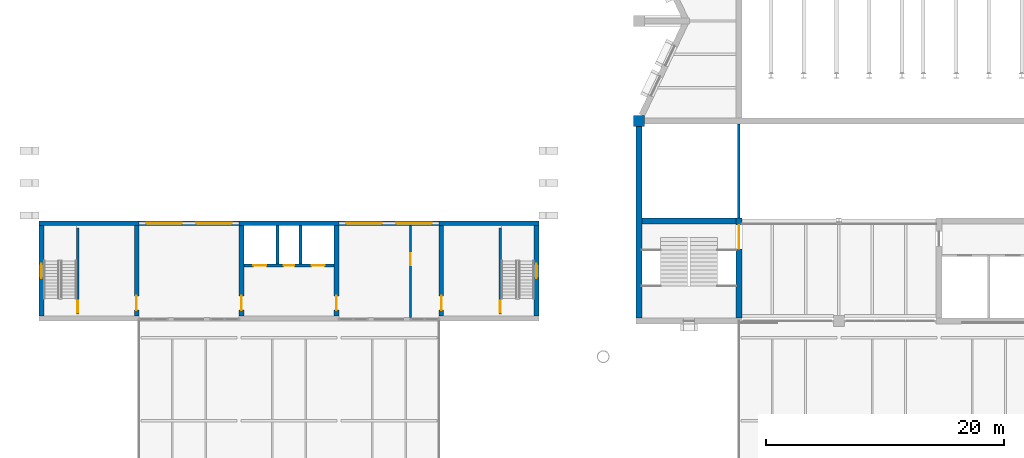
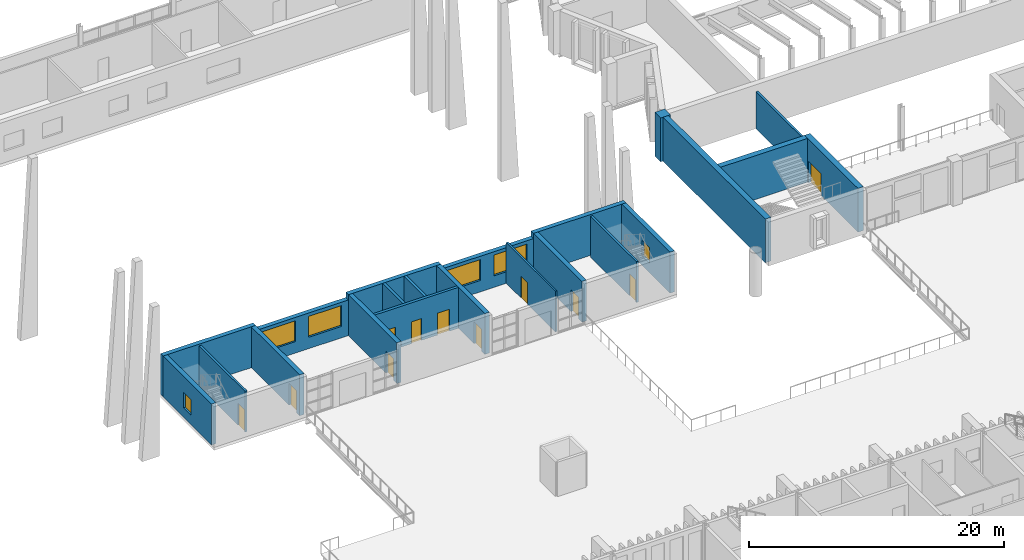
# One storey, part 64 of 96: 22 walls, 11 doors, 6 windows, 17 openings.
"""IFC4 building model written with IfcOpenShell, lengths in metres."""

from ifc_helpers import new_model, si_unit, direction, frame, frame_2d, origin, place, context, subcontext, project, spatial, rectangle, extrude, material, layer, layer_set, type_object, element, fill, save


model = new_model("IFC4")

# Units and contexts
model_context = context("Model", 3, precision=1e-05, world=origin(), true_north=direction((0.0, 1.0)))
body_context = subcontext(model_context, "Body", "Model", "MODEL_VIEW")
ifc_project = project(units=[si_unit("LENGTHUNIT", "METRE"), si_unit("AREAUNIT", "SQUARE_METRE"), si_unit("VOLUMEUNIT", "CUBIC_METRE"), si_unit("PLANEANGLEUNIT", "RADIAN"), si_unit("MASSUNIT", "GRAM", prefix="KILO")], contexts=[model_context])

# Site, building, storey
site_placement = place(None, origin())
site = spatial("IfcSite", under=ifc_project, at=site_placement, CompositionType="ELEMENT")
building_placement = place(site_placement, origin())
building = spatial("IfcBuilding", under=site, at=building_placement, Name="Cresset Court Congress Hotel", CompositionType="ELEMENT")
storey_placement = place(building_placement, frame((0.0, 0.0, 6.0)))
storey = spatial("IfcBuildingStorey", under=building, at=storey_placement, Name="L01", CompositionType="ELEMENT", Elevation=6.0)

# Wall, opening, door
ifc_material_1 = material(Name="Gypsum board on steel studs", Category="steel")
ifc_layer_1 = layer(ifc_material_1, 0.14990234375)
ifc_layer_set_1 = layer_set([ifc_layer_1], Name="Fire partition 150")
wall_type_1 = type_object("IfcWallType", Name="Fire partition 150", PredefinedType="PARTITIONING", material=ifc_layer_set_1)
wall_1_placement = place(storey_placement, frame((39.60009765625, 59.10009765625, 0.0), z_axis=(0.0, 0.0, 1.0), x_axis=(0.0, 1.0, 0.0)))
wall_1 = element("IfcWall", 1, at=wall_1_placement, inside=storey, type_object=wall_type_1, Name="Cloakroom partition", PredefinedType="PARTITIONING", context=body_context, shape_type="SweptSolid", body=[
    extrude(rectangle(XDim=7.699951171875, YDim=0.14990234375, at=frame_2d((3.85009765625, 0.0))), origin(), (0.0, 0.0, 1.0), 3.919921875),
])
opening_1_placement = place(wall_1_placement, frame((4.39990234375, 0.0, 0.0)))
opening_1 = element("IfcOpeningElement", 2, at=opening_1_placement, cuts=wall_1, Name="Opening DD-01-12", PredefinedType="OPENING", context=body_context, shape_type="SweptSolid", body=[
    extrude(rectangle(XDim=1.0, YDim=2.10009765625, at=frame_2d((0.5, 1.050048828125))), frame((0.0, 0.0849609375, 0.0), z_axis=(0.0, -1.0, 0.0), x_axis=(1.0, 0.0, 0.0)), (0.0, 0.0, 1.0), 0.169921875),
])
ifc_material_2 = material(Name="Timber door leaf", Category="wood")
door_type_1 = type_object("IfcDoorType", Name="Room door 1000x2100", OperationType="SINGLE_SWING_LEFT", PredefinedType="DOOR", material=ifc_material_2)
door_1_placement = place(opening_1_placement, origin())
door_1 = element("IfcDoor", 3, at=door_1_placement, inside=storey, type_object=door_type_1, Name="Room door DD-01-12", OperationType="SINGLE_SWING_LEFT", OverallHeight=2.10009765625, OverallWidth=1.0, PredefinedType="DOOR", context=body_context, shape_type="SweptSolid", body=[
    extrude(rectangle(XDim=1.0, YDim=2.10009765625, at=frame_2d((0.5, 1.050048828125))), frame((0.0, 0.02490234375, 0.0), z_axis=(0.0, -1.0, 0.0), x_axis=(1.0, 0.0, 0.0)), (0.0, 0.0, 1.0), 0.050048828125),
])
fill(opening_1, door_1)

ifc_material_3 = material(Name="Concrete C50", Category="concrete")
ifc_layer_2 = layer(ifc_material_3, 0.5)
ifc_layer_set_2 = layer_set([ifc_layer_2], Name="Hall inner wall 500")
wall_type_2 = type_object("IfcWallType", Name="Hall inner wall 500", PredefinedType="SOLIDWALL", material=ifc_layer_set_2)
wall_2_placement = place(storey_placement, frame((67.199951171875, 59.050048828125, 0.0), z_axis=(0.0, 0.0, 1.0), x_axis=(0.0, 1.0, 0.0)))
wall_2 = element("IfcWall", 4, at=wall_2_placement, inside=storey, type_object=wall_type_2, Name="Wall CC-C1EL01", PredefinedType="SOLIDWALL", context=body_context, shape_type="SweptSolid", body=[
    extrude(rectangle(XDim=8.39990234375, YDim=0.5, at=frame_2d((4.199951171875, 0.0))), origin(), (0.0, 0.0, 1.0), 4.199951171875),
])
opening_2_placement = place(wall_2_placement, frame((5.800048828125, 0.0, 0.0)))
opening_2 = element("IfcOpeningElement", 5, at=opening_2_placement, cuts=wall_2, Name="Opening DC-01-01", PredefinedType="OPENING", context=body_context, shape_type="SweptSolid", body=[
    extrude(rectangle(XDim=2.0, YDim=2.10009765625, at=frame_2d((1.0, 1.050048828125))), frame((0.0, 0.260009765625, 0.0), z_axis=(0.0, -1.0, 0.0), x_axis=(1.0, 0.0, 0.0)), (0.0, 0.0, 1.0), 0.52001953125),
])
ifc_material_4 = material(Name="Timber", Category="wood")
door_type_2 = type_object("IfcDoorType", Name="Double swing door 2000x2100 FD60", OperationType="DOUBLE_DOOR_DOUBLE_SWING", PredefinedType="DOOR", material=ifc_material_4)
door_2_placement = place(opening_2_placement, origin())
door_2 = element("IfcDoor", 6, at=door_2_placement, inside=storey, type_object=door_type_2, Name="Stair door ST-C1 L01", OperationType="DOUBLE_DOOR_DOUBLE_SWING", OverallHeight=2.10009765625, OverallWidth=2.0, PredefinedType="DOOR", context=body_context, shape_type="SweptSolid", body=[
    extrude(rectangle(XDim=2.0, YDim=2.10009765625, at=frame_2d((1.0, 1.050048828125))), frame((0.0, 0.02490234375, 0.0), z_axis=(0.0, -1.0, 0.0), x_axis=(1.0, 0.0, 0.0)), (0.0, 0.0, 1.0), 0.050048828125),
])
fill(opening_2, door_2)

# Walls
wall_3_placement = place(storey_placement, frame((59.050048828125, 67.199951171875, 0.0), z_axis=(0.0, 0.0, 1.0), x_axis=(1.0, 0.0, 0.0)))
element("IfcWall", 7, at=wall_3_placement, inside=storey, type_object=wall_type_2, Name="Wall CC-C1NL01", PredefinedType="SOLIDWALL", context=body_context, shape_type="SweptSolid", body=[
    extrude(rectangle(XDim=7.89990234375, YDim=0.5, at=frame_2d((3.949951171875, 0.0))), origin(), (0.0, 0.0, 1.0), 4.199951171875),
])
ifc_material_5 = material(Name="Limestone-faced precast concrete C50", Category="masonry")
ifc_layer_3 = layer(ifc_material_5, 0.5)
ifc_layer_set_3 = layer_set([ifc_layer_3], Name="Hall perimeter wall 500")
wall_type_3 = type_object("IfcWallType", Name="Hall perimeter wall 500", PredefinedType="SOLIDWALL", material=ifc_layer_set_3)
wall_4_placement = place(storey_placement, frame((58.800048828125, 59.050048828125, 0.0), z_axis=(0.0, 0.0, 1.0), x_axis=(0.0, 1.0, 0.0)))
element("IfcWall", 8, at=wall_4_placement, inside=storey, type_object=wall_type_3, Name="Wall CW-WL01-5", PredefinedType="SOLIDWALL", context=body_context, shape_type="SweptSolid", body=[
    extrude(rectangle(XDim=16.099853515625, YDim=0.5, at=frame_2d((8.0498046875, 0.0))), origin(), (0.0, 0.0, 1.0), 4.199951171875),
])
ifc_material_6 = material(Name="Concrete C50", Category="concrete")
ifc_layer_4 = layer(ifc_material_6, 0.89990234375)
ifc_layer_set_4 = layer_set([ifc_layer_4], Name="Hall pilaster 900x900")
wall_type_4 = type_object("IfcWallType", Name="Hall pilaster 900x900", PredefinedType="SOLIDWALL", material=ifc_layer_set_4)
wall_5_placement = place(storey_placement, frame((58.800048828125, 76.050048828125, 0.0), z_axis=(0.0, 0.0, 1.0), x_axis=(0.0, -1.0, 0.0)))
element("IfcWall", 9, at=wall_5_placement, inside=storey, type_object=wall_type_4, Name="Pilaster P-W4", PredefinedType="SOLIDWALL", context=body_context, shape_type="SweptSolid", body=[
    extrude(rectangle(XDim=0.900146484375, YDim=0.89990234375, at=frame_2d((0.4501953125, 0.0))), origin(), (0.0, 0.0, 1.0), 4.199951171875),
])
ifc_material_7 = material(Name="Concrete C35", Category="concrete")
ifc_layer_5 = layer(ifc_material_7, 0.199951171875)
ifc_layer_set_5 = layer_set([ifc_layer_5], Name="Plant room wall 200 load-bearing")
wall_type_5 = type_object("IfcWallType", Name="Plant room wall 200 load-bearing", PredefinedType="PARTITIONING", material=ifc_layer_set_5)
wall_6_placement = place(storey_placement, frame((67.199951171875, 67.449951171875, 0.0), z_axis=(0.0, 0.0, 1.0), x_axis=(0.0, 1.0, 0.0)))
element("IfcWall", 10, at=wall_6_placement, inside=storey, type_object=wall_type_5, Name="Wall CP-reg.L01", PredefinedType="PARTITIONING", context=body_context, shape_type="SweptSolid", body=[
    extrude(rectangle(XDim=7.900146484375, YDim=0.199951171875, at=frame_2d((3.9501953125, 0.0))), origin(), (0.0, 0.0, 1.0), 3.550048828125),
])
ifc_material_8 = material(Name="Concrete C50", Category="concrete")
ifc_layer_6 = layer(ifc_material_8, 0.39990234375)
ifc_layer_set_6 = layer_set([ifc_layer_6], Name="RC core wall 400 C50")
wall_type_6 = type_object("IfcWallType", Name="RC core wall 400 C50", PredefinedType="SOLIDWALL", material=ifc_layer_set_6)
wall_7_placement = place(storey_placement, frame((8.39990234375, 67.0, 0.0), z_axis=(0.0, 0.0, 1.0), x_axis=(1.0, 0.0, 0.0)))
element("IfcWall", 11, at=wall_7_placement, inside=storey, type_object=wall_type_6, Name="ST-D1 north wall", PredefinedType="SOLIDWALL", context=body_context, shape_type="SweptSolid", body=[
    extrude(rectangle(XDim=8.400146484375, YDim=0.39990234375, at=frame_2d((4.2001953125, 0.0))), origin(), (0.0, 0.0, 1.0), 3.919921875),
])

# Wall, opening, window
wall_8_placement = place(storey_placement, frame((8.60009765625, 59.199951171875, 0.0), z_axis=(0.0, 0.0, 1.0), x_axis=(0.0, 1.0, 0.0)))
wall_8 = element("IfcWall", 12, at=wall_8_placement, inside=storey, type_object=wall_type_6, Name="ST-D1 west wall", PredefinedType="SOLIDWALL", context=body_context, shape_type="SweptSolid", body=[
    extrude(rectangle(XDim=7.60009765625, YDim=0.39990234375, at=frame_2d((3.800048828125, 0.0))), origin(), (0.0, 0.0, 1.0), 3.919921875),
])
opening_3_placement = place(wall_8_placement, frame((3.199951171875, 0.0, 0.89990234375)))
opening_3 = element("IfcOpeningElement", 13, at=opening_3_placement, cuts=wall_8, Name="Opening ND-01-07", PredefinedType="OPENING", context=body_context, shape_type="SweptSolid", body=[
    extrude(rectangle(XDim=1.199951171875, YDim=1.5, at=frame_2d((0.60009765625, 0.75))), frame((0.0, 0.2099609375, 0.0), z_axis=(0.0, -1.0, 0.0), x_axis=(1.0, 0.0, 0.0)), (0.0, 0.0, 1.0), 0.419921875),
])
ifc_material_9 = material(Name="Aluminium frame with insulated glass", Category="aluminium")
window_type_1 = type_object("IfcWindowType", Name="Window 1200x1500", PartitioningType="SINGLE_PANEL", PredefinedType="WINDOW", material=ifc_material_9)
window_1_placement = place(opening_3_placement, origin())
window_1 = element("IfcWindow", 14, at=window_1_placement, inside=storey, type_object=window_type_1, Name="Window ND-01-07", OverallHeight=1.5, OverallWidth=1.199951171875, PartitioningType="SINGLE_PANEL", PredefinedType="WINDOW", context=body_context, shape_type="SweptSolid", body=[
    extrude(rectangle(XDim=1.199951171875, YDim=1.5, at=frame_2d((0.60009765625, 0.75))), frame((0.0, 0.030029296875, 0.0), z_axis=(0.0, -1.0, 0.0), x_axis=(1.0, 0.0, 0.0)), (0.0, 0.0, 1.0), 0.06005859375),
])
fill(opening_3, window_1)

# Wall, opening, door
wall_9_placement = place(storey_placement, frame((16.60009765625, 59.199951171875, 0.0), z_axis=(0.0, 0.0, 1.0), x_axis=(0.0, 1.0, 0.0)))
wall_9 = element("IfcWall", 15, at=wall_9_placement, inside=storey, type_object=wall_type_6, Name="ST-D1 east wall", PredefinedType="SOLIDWALL", context=body_context, shape_type="SweptSolid", body=[
    extrude(rectangle(XDim=7.60009765625, YDim=0.39990234375, at=frame_2d((3.800048828125, 0.0))), origin(), (0.0, 0.0, 1.0), 3.919921875),
])
opening_4_placement = place(wall_9_placement, frame((0.5, 0.0, 0.0)))
opening_4 = element("IfcOpeningElement", 16, at=opening_4_placement, cuts=wall_9, Name="Opening DD-01-03", PredefinedType="OPENING", context=body_context, shape_type="SweptSolid", body=[
    extrude(rectangle(XDim=1.199951171875, YDim=2.10009765625, at=frame_2d((0.60009765625, 1.050048828125))), frame((0.0, 0.2099609375, 0.0), z_axis=(0.0, -1.0, 0.0), x_axis=(1.0, 0.0, 0.0)), (0.0, 0.0, 1.0), 0.419921875),
])
ifc_material_10 = material(Name="Timber door leaf", Category="wood")
door_type_3 = type_object("IfcDoorType", Name="Stair lobby door 1200x2100", OperationType="SINGLE_SWING_LEFT", PredefinedType="DOOR", material=ifc_material_10)
door_3_placement = place(opening_4_placement, origin())
door_3 = element("IfcDoor", 17, at=door_3_placement, inside=storey, type_object=door_type_3, Name="Stair lobby door DD-01-03", OperationType="SINGLE_SWING_LEFT", OverallHeight=2.10009765625, OverallWidth=1.199951171875, PredefinedType="DOOR", context=body_context, shape_type="SweptSolid", body=[
    extrude(rectangle(XDim=1.199951171875, YDim=2.10009765625, at=frame_2d((0.60009765625, 1.050048828125))), frame((0.0, 0.02490234375, 0.0), z_axis=(0.0, -1.0, 0.0), x_axis=(1.0, 0.0, 0.0)), (0.0, 0.0, 1.0), 0.050048828125),
])
fill(opening_4, door_3)

# Wall
wall_10_placement = place(storey_placement, frame((25.199951171875, 67.0, 0.0), z_axis=(0.0, 0.0, 1.0), x_axis=(1.0, 0.0, 0.0)))
element("IfcWall", 18, at=wall_10_placement, inside=storey, type_object=wall_type_6, Name="LC-D1 north wall", PredefinedType="SOLIDWALL", context=body_context, shape_type="SweptSolid", body=[
    extrude(rectangle(XDim=8.400146484375, YDim=0.39990234375, at=frame_2d((4.2001953125, 0.0))), origin(), (0.0, 0.0, 1.0), 3.919921875),
])

# Wall, opening, door
wall_11_placement = place(storey_placement, frame((25.39990234375, 59.199951171875, 0.0), z_axis=(0.0, 0.0, 1.0), x_axis=(0.0, 1.0, 0.0)))
wall_11 = element("IfcWall", 19, at=wall_11_placement, inside=storey, type_object=wall_type_6, Name="LC-D1 west wall", PredefinedType="SOLIDWALL", context=body_context, shape_type="SweptSolid", body=[
    extrude(rectangle(XDim=7.60009765625, YDim=0.39990234375, at=frame_2d((3.800048828125, 0.0))), origin(), (0.0, 0.0, 1.0), 3.919921875),
])
opening_5_placement = place(wall_11_placement, frame((0.5, 0.0, 0.0)))
opening_5 = element("IfcOpeningElement", 20, at=opening_5_placement, cuts=wall_11, Name="Opening DD-01-07", PredefinedType="OPENING", context=body_context, shape_type="SweptSolid", body=[
    extrude(rectangle(XDim=1.199951171875, YDim=2.10009765625, at=frame_2d((0.60009765625, 1.050048828125))), frame((0.0, 0.2099609375, 0.0), z_axis=(0.0, -1.0, 0.0), x_axis=(1.0, 0.0, 0.0)), (0.0, 0.0, 1.0), 0.419921875),
])
ifc_material_11 = material(Name="Timber door leaf", Category="wood")
door_type_4 = type_object("IfcDoorType", Name="Lift lobby door 1200x2100", OperationType="SINGLE_SWING_LEFT", PredefinedType="DOOR", material=ifc_material_11)
door_4_placement = place(opening_5_placement, origin())
door_4 = element("IfcDoor", 21, at=door_4_placement, inside=storey, type_object=door_type_4, Name="Lift lobby door DD-01-07", OperationType="SINGLE_SWING_LEFT", OverallHeight=2.10009765625, OverallWidth=1.199951171875, PredefinedType="DOOR", context=body_context, shape_type="SweptSolid", body=[
    extrude(rectangle(XDim=1.199951171875, YDim=2.10009765625, at=frame_2d((0.60009765625, 1.050048828125))), frame((0.0, 0.02490234375, 0.0), z_axis=(0.0, -1.0, 0.0), x_axis=(1.0, 0.0, 0.0)), (0.0, 0.0, 1.0), 0.050048828125),
])
fill(opening_5, door_4)

wall_12_placement = place(storey_placement, frame((33.39990234375, 59.199951171875, 0.0), z_axis=(0.0, 0.0, 1.0), x_axis=(0.0, 1.0, 0.0)))
wall_12 = element("IfcWall", 22, at=wall_12_placement, inside=storey, type_object=wall_type_6, Name="LC-D1 east wall", PredefinedType="SOLIDWALL", context=body_context, shape_type="SweptSolid", body=[
    extrude(rectangle(XDim=7.60009765625, YDim=0.39990234375, at=frame_2d((3.800048828125, 0.0))), origin(), (0.0, 0.0, 1.0), 3.919921875),
])
opening_6_placement = place(wall_12_placement, frame((0.5, 0.0, 0.0)))
opening_6 = element("IfcOpeningElement", 23, at=opening_6_placement, cuts=wall_12, Name="Opening DD-01-08", PredefinedType="OPENING", context=body_context, shape_type="SweptSolid", body=[
    extrude(rectangle(XDim=1.199951171875, YDim=2.10009765625, at=frame_2d((0.60009765625, 1.050048828125))), frame((0.0, 0.2099609375, 0.0), z_axis=(0.0, -1.0, 0.0), x_axis=(1.0, 0.0, 0.0)), (0.0, 0.0, 1.0), 0.419921875),
])
door_5_placement = place(opening_6_placement, origin())
door_5 = element("IfcDoor", 24, at=door_5_placement, inside=storey, type_object=door_type_4, Name="Lift lobby door DD-01-08", OperationType="SINGLE_SWING_LEFT", OverallHeight=2.10009765625, OverallWidth=1.199951171875, PredefinedType="DOOR", context=body_context, shape_type="SweptSolid", body=[
    extrude(rectangle(XDim=1.199951171875, YDim=2.10009765625, at=frame_2d((0.60009765625, 1.050048828125))), frame((0.0, 0.02490234375, 0.0), z_axis=(0.0, -1.0, 0.0), x_axis=(1.0, 0.0, 0.0)), (0.0, 0.0, 1.0), 0.050048828125),
])
fill(opening_6, door_5)

# Wall
wall_13_placement = place(storey_placement, frame((42.0, 67.0, 0.0), z_axis=(0.0, 0.0, 1.0), x_axis=(1.0, 0.0, 0.0)))
element("IfcWall", 25, at=wall_13_placement, inside=storey, type_object=wall_type_6, Name="ST-D2 north wall", PredefinedType="SOLIDWALL", context=body_context, shape_type="SweptSolid", body=[
    extrude(rectangle(XDim=8.39990234375, YDim=0.39990234375, at=frame_2d((4.199951171875, 0.0))), origin(), (0.0, 0.0, 1.0), 3.919921875),
])

# Wall, opening, door
wall_14_placement = place(storey_placement, frame((42.199951171875, 59.199951171875, 0.0), z_axis=(0.0, 0.0, 1.0), x_axis=(0.0, 1.0, 0.0)))
wall_14 = element("IfcWall", 26, at=wall_14_placement, inside=storey, type_object=wall_type_6, Name="ST-D2 west wall", PredefinedType="SOLIDWALL", context=body_context, shape_type="SweptSolid", body=[
    extrude(rectangle(XDim=7.60009765625, YDim=0.39990234375, at=frame_2d((3.800048828125, 0.0))), origin(), (0.0, 0.0, 1.0), 3.919921875),
])
opening_7_placement = place(wall_14_placement, frame((0.5, 0.0, 0.0)))
opening_7 = element("IfcOpeningElement", 27, at=opening_7_placement, cuts=wall_14, Name="Opening DD-01-05", PredefinedType="OPENING", context=body_context, shape_type="SweptSolid", body=[
    extrude(rectangle(XDim=1.199951171875, YDim=2.10009765625, at=frame_2d((0.60009765625, 1.050048828125))), frame((0.0, 0.2099609375, 0.0), z_axis=(0.0, -1.0, 0.0), x_axis=(1.0, 0.0, 0.0)), (0.0, 0.0, 1.0), 0.419921875),
])
door_6_placement = place(opening_7_placement, origin())
door_6 = element("IfcDoor", 28, at=door_6_placement, inside=storey, type_object=door_type_3, Name="Stair lobby door DD-01-05", OperationType="SINGLE_SWING_LEFT", OverallHeight=2.10009765625, OverallWidth=1.199951171875, PredefinedType="DOOR", context=body_context, shape_type="SweptSolid", body=[
    extrude(rectangle(XDim=1.199951171875, YDim=2.10009765625, at=frame_2d((0.60009765625, 1.050048828125))), frame((0.0, 0.02490234375, 0.0), z_axis=(0.0, -1.0, 0.0), x_axis=(1.0, 0.0, 0.0)), (0.0, 0.0, 1.0), 0.050048828125),
])
fill(opening_7, door_6)

# Wall, opening, window
wall_15_placement = place(storey_placement, frame((50.199951171875, 59.199951171875, 0.0), z_axis=(0.0, 0.0, 1.0), x_axis=(0.0, 1.0, 0.0)))
wall_15 = element("IfcWall", 29, at=wall_15_placement, inside=storey, type_object=wall_type_6, Name="ST-D2 east wall", PredefinedType="SOLIDWALL", context=body_context, shape_type="SweptSolid", body=[
    extrude(rectangle(XDim=7.60009765625, YDim=0.39990234375, at=frame_2d((3.800048828125, 0.0))), origin(), (0.0, 0.0, 1.0), 3.919921875),
])
opening_8_placement = place(wall_15_placement, frame((3.199951171875, 0.0, 0.89990234375)))
opening_8 = element("IfcOpeningElement", 30, at=opening_8_placement, cuts=wall_15, Name="Opening ND-01-08", PredefinedType="OPENING", context=body_context, shape_type="SweptSolid", body=[
    extrude(rectangle(XDim=1.199951171875, YDim=1.5, at=frame_2d((0.60009765625, 0.75))), frame((0.0, 0.2099609375, 0.0), z_axis=(0.0, -1.0, 0.0), x_axis=(1.0, 0.0, 0.0)), (0.0, 0.0, 1.0), 0.419921875),
])
window_2_placement = place(opening_8_placement, origin())
window_2 = element("IfcWindow", 31, at=window_2_placement, inside=storey, type_object=window_type_1, Name="Window ND-01-08", OverallHeight=1.5, OverallWidth=1.199951171875, PartitioningType="SINGLE_PANEL", PredefinedType="WINDOW", context=body_context, shape_type="SweptSolid", body=[
    extrude(rectangle(XDim=1.199951171875, YDim=1.5, at=frame_2d((0.60009765625, 0.75))), frame((0.0, 0.030029296875, 0.0), z_axis=(0.0, -1.0, 0.0), x_axis=(1.0, 0.0, 0.0)), (0.0, 0.0, 1.0), 0.06005859375),
])
fill(opening_8, window_2)

# Wall, openings, windows
ifc_material_12 = material(Name="Concrete C40", Category="concrete")
ifc_layer_7 = layer(ifc_material_12, 0.39990234375)
ifc_layer_set_7 = layer_set([ifc_layer_7], Name="RC hall wall 400 C40")
wall_type_7 = type_object("IfcWallType", Name="RC hall wall 400 C40", PredefinedType="SOLIDWALL", material=ifc_layer_set_7)
wall_16_placement = place(storey_placement, frame((16.800048828125, 67.0, 0.0), z_axis=(0.0, 0.0, 1.0), x_axis=(1.0, 0.0, 0.0)))
wall_16 = element("IfcWall", 32, at=wall_16_placement, inside=storey, type_object=wall_type_7, Name="Hall south wall L01 W", PredefinedType="SOLIDWALL", context=body_context, shape_type="SweptSolid", body=[
    extrude(rectangle(XDim=8.39990234375, YDim=0.39990234375, at=frame_2d((4.199951171875, 0.0))), origin(), (0.0, 0.0, 1.0), 3.419921875),
])
opening_9_placement = place(wall_16_placement, frame((0.60009765625, 0.0, 1.10009765625)))
opening_9 = element("IfcOpeningElement", 33, at=opening_9_placement, cuts=wall_16, Name="Opening ND-01-09", PredefinedType="OPENING", context=body_context, shape_type="SweptSolid", body=[
    extrude(rectangle(XDim=3.0, YDim=2.0, at=frame_2d((1.5, 1.0))), frame((0.0, 0.2099609375, 0.0), z_axis=(0.0, -1.0, 0.0), x_axis=(1.0, 0.0, 0.0)), (0.0, 0.0, 1.0), 0.419921875),
])
opening_10_placement = place(wall_16_placement, frame((4.800048828125, 0.0, 1.10009765625)))
opening_10 = element("IfcOpeningElement", 34, at=opening_10_placement, cuts=wall_16, Name="Opening ND-01-10", PredefinedType="OPENING", context=body_context, shape_type="SweptSolid", body=[
    extrude(rectangle(XDim=3.0, YDim=2.0, at=frame_2d((1.5, 1.0))), frame((0.0, 0.2099609375, 0.0), z_axis=(0.0, -1.0, 0.0), x_axis=(1.0, 0.0, 0.0)), (0.0, 0.0, 1.0), 0.419921875),
])
ifc_material_13 = material(Name="Aluminium frame with insulated glass", Category="aluminium")
window_type_2 = type_object("IfcWindowType", Name="Window 3000x2000", PartitioningType="SINGLE_PANEL", PredefinedType="WINDOW", material=ifc_material_13)
window_3_placement = place(opening_9_placement, origin())
window_3 = element("IfcWindow", 35, at=window_3_placement, inside=storey, type_object=window_type_2, Name="Window ND-01-09", OverallHeight=2.0, OverallWidth=3.0, PartitioningType="SINGLE_PANEL", PredefinedType="WINDOW", context=body_context, shape_type="SweptSolid", body=[
    extrude(rectangle(XDim=3.0, YDim=2.0, at=frame_2d((1.5, 1.0))), frame((0.0, 0.030029296875, 0.0), z_axis=(0.0, -1.0, 0.0), x_axis=(1.0, 0.0, 0.0)), (0.0, 0.0, 1.0), 0.06005859375),
])
fill(opening_9, window_3)
window_4_placement = place(opening_10_placement, origin())
window_4 = element("IfcWindow", 36, at=window_4_placement, inside=storey, type_object=window_type_2, Name="Window ND-01-10", OverallHeight=2.0, OverallWidth=3.0, PartitioningType="SINGLE_PANEL", PredefinedType="WINDOW", context=body_context, shape_type="SweptSolid", body=[
    extrude(rectangle(XDim=3.0, YDim=2.0, at=frame_2d((1.5, 1.0))), frame((0.0, 0.030029296875, 0.0), z_axis=(0.0, -1.0, 0.0), x_axis=(1.0, 0.0, 0.0)), (0.0, 0.0, 1.0), 0.06005859375),
])
fill(opening_10, window_4)

wall_17_placement = place(storey_placement, frame((33.60009765625, 67.0, 0.0), z_axis=(0.0, 0.0, 1.0), x_axis=(1.0, 0.0, 0.0)))
wall_17 = element("IfcWall", 37, at=wall_17_placement, inside=storey, type_object=wall_type_7, Name="Hall south wall L01 E", PredefinedType="SOLIDWALL", context=body_context, shape_type="SweptSolid", body=[
    extrude(rectangle(XDim=8.39990234375, YDim=0.39990234375, at=frame_2d((4.199951171875, 0.0))), origin(), (0.0, 0.0, 1.0), 3.419921875),
])
opening_11_placement = place(wall_17_placement, frame((0.60009765625, 0.0, 1.10009765625)))
opening_11 = element("IfcOpeningElement", 38, at=opening_11_placement, cuts=wall_17, Name="Opening ND-01-11", PredefinedType="OPENING", context=body_context, shape_type="SweptSolid", body=[
    extrude(rectangle(XDim=3.0, YDim=2.0, at=frame_2d((1.5, 1.0))), frame((0.0, 0.2099609375, 0.0), z_axis=(0.0, -1.0, 0.0), x_axis=(1.0, 0.0, 0.0)), (0.0, 0.0, 1.0), 0.419921875),
])
opening_12_placement = place(wall_17_placement, frame((4.800048828125, 0.0, 1.10009765625)))
opening_12 = element("IfcOpeningElement", 39, at=opening_12_placement, cuts=wall_17, Name="Opening ND-01-12", PredefinedType="OPENING", context=body_context, shape_type="SweptSolid", body=[
    extrude(rectangle(XDim=3.0, YDim=2.0, at=frame_2d((1.5, 1.0))), frame((0.0, 0.2099609375, 0.0), z_axis=(0.0, -1.0, 0.0), x_axis=(1.0, 0.0, 0.0)), (0.0, 0.0, 1.0), 0.419921875),
])
window_5_placement = place(opening_11_placement, origin())
window_5 = element("IfcWindow", 40, at=window_5_placement, inside=storey, type_object=window_type_2, Name="Window ND-01-11", OverallHeight=2.0, OverallWidth=3.0, PartitioningType="SINGLE_PANEL", PredefinedType="WINDOW", context=body_context, shape_type="SweptSolid", body=[
    extrude(rectangle(XDim=3.0, YDim=2.0, at=frame_2d((1.5, 1.0))), frame((0.0, 0.030029296875, 0.0), z_axis=(0.0, -1.0, 0.0), x_axis=(1.0, 0.0, 0.0)), (0.0, 0.0, 1.0), 0.06005859375),
])
fill(opening_11, window_5)
window_6_placement = place(opening_12_placement, origin())
window_6 = element("IfcWindow", 41, at=window_6_placement, inside=storey, type_object=window_type_2, Name="Window ND-01-12", OverallHeight=2.0, OverallWidth=3.0, PartitioningType="SINGLE_PANEL", PredefinedType="WINDOW", context=body_context, shape_type="SweptSolid", body=[
    extrude(rectangle(XDim=3.0, YDim=2.0, at=frame_2d((1.5, 1.0))), frame((0.0, 0.030029296875, 0.0), z_axis=(0.0, -1.0, 0.0), x_axis=(1.0, 0.0, 0.0)), (0.0, 0.0, 1.0), 0.06005859375),
])
fill(opening_12, window_6)

# Wall, openings, doors
ifc_material_14 = material(Name="Concrete C50", Category="concrete")
ifc_layer_8 = layer(ifc_material_14, 0.25)
ifc_layer_set_8 = layer_set([ifc_layer_8], Name="RC lift shaft wall 250 C50")
wall_type_8 = type_object("IfcWallType", Name="RC lift shaft wall 250 C50", PredefinedType="SOLIDWALL", material=ifc_layer_set_8)
wall_18_placement = place(storey_placement, frame((25.60009765625, 63.47509765625, 0.0), z_axis=(0.0, 0.0, 1.0), x_axis=(1.0, 0.0, 0.0)))
wall_18 = element("IfcWall", 42, at=wall_18_placement, inside=storey, type_object=wall_type_8, Name="Lift shaft front wall", PredefinedType="SOLIDWALL", context=body_context, shape_type="SweptSolid", body=[
    extrude(rectangle(XDim=7.599853515625, YDim=0.25, at=frame_2d((3.7998046875, 0.0))), origin(), (0.0, 0.0, 1.0), 3.919921875),
])
opening_13_placement = place(wall_18_placement, frame((0.800048828125, 0.0, 0.0)))
opening_13 = element("IfcOpeningElement", 43, at=opening_13_placement, cuts=wall_18, Name="Opening DD-01-09", PredefinedType="OPENING", context=body_context, shape_type="SweptSolid", body=[
    extrude(rectangle(XDim=1.10009765625, YDim=2.10009765625, at=frame_2d((0.550048828125, 1.050048828125))), frame((0.0, 0.135009765625, 0.0), z_axis=(0.0, -1.0, 0.0), x_axis=(1.0, 0.0, 0.0)), (0.0, 0.0, 1.0), 0.27001953125),
])
opening_14_placement = place(wall_18_placement, frame((5.699951171875, 0.0, 0.0)))
opening_14 = element("IfcOpeningElement", 44, at=opening_14_placement, cuts=wall_18, Name="Opening DD-01-10", PredefinedType="OPENING", context=body_context, shape_type="SweptSolid", body=[
    extrude(rectangle(XDim=1.10009765625, YDim=2.10009765625, at=frame_2d((0.550048828125, 1.050048828125))), frame((0.0, 0.135009765625, 0.0), z_axis=(0.0, -1.0, 0.0), x_axis=(1.0, 0.0, 0.0)), (0.0, 0.0, 1.0), 0.27001953125),
])
opening_15_placement = place(wall_18_placement, frame((3.35009765625, 0.0, 0.0)))
opening_15 = element("IfcOpeningElement", 45, at=opening_15_placement, cuts=wall_18, Name="Opening DD-01-11", PredefinedType="OPENING", context=body_context, shape_type="SweptSolid", body=[
    extrude(rectangle(XDim=0.89990234375, YDim=2.10009765625, at=frame_2d((0.449951171875, 1.050048828125))), frame((0.0, 0.135009765625, 0.0), z_axis=(0.0, -1.0, 0.0), x_axis=(1.0, 0.0, 0.0)), (0.0, 0.0, 1.0), 0.27001953125),
])
ifc_material_15 = material(Name="Stainless steel", Category="steel")
door_type_5 = type_object("IfcDoorType", Name="Lift landing door 1100x2100", OperationType="DOUBLE_DOOR_SLIDING", PredefinedType="DOOR", material=ifc_material_15)
door_7_placement = place(opening_13_placement, origin())
door_7 = element("IfcDoor", 46, at=door_7_placement, inside=storey, type_object=door_type_5, Name="Lift landing door DD-01-09", OperationType="DOUBLE_DOOR_SLIDING", OverallHeight=2.10009765625, OverallWidth=1.10009765625, PredefinedType="DOOR", context=body_context, shape_type="SweptSolid", body=[
    extrude(rectangle(XDim=1.10009765625, YDim=2.10009765625, at=frame_2d((0.550048828125, 1.050048828125))), frame((0.0, 0.02490234375, 0.0), z_axis=(0.0, -1.0, 0.0), x_axis=(1.0, 0.0, 0.0)), (0.0, 0.0, 1.0), 0.050048828125),
])
fill(opening_13, door_7)
door_8_placement = place(opening_14_placement, origin())
door_8 = element("IfcDoor", 47, at=door_8_placement, inside=storey, type_object=door_type_5, Name="Lift landing door DD-01-10", OperationType="DOUBLE_DOOR_SLIDING", OverallHeight=2.10009765625, OverallWidth=1.10009765625, PredefinedType="DOOR", context=body_context, shape_type="SweptSolid", body=[
    extrude(rectangle(XDim=1.10009765625, YDim=2.10009765625, at=frame_2d((0.550048828125, 1.050048828125))), frame((0.0, 0.02490234375, 0.0), z_axis=(0.0, -1.0, 0.0), x_axis=(1.0, 0.0, 0.0)), (0.0, 0.0, 1.0), 0.050048828125),
])
fill(opening_14, door_8)
ifc_material_16 = material(Name="Timber door leaf", Category="wood")
door_type_6 = type_object("IfcDoorType", Name="Riser door 900x2100", OperationType="SINGLE_SWING_LEFT", PredefinedType="DOOR", material=ifc_material_16)
door_9_placement = place(opening_15_placement, origin())
door_9 = element("IfcDoor", 48, at=door_9_placement, inside=storey, type_object=door_type_6, Name="Riser door DD-01-11", OperationType="SINGLE_SWING_LEFT", OverallHeight=2.10009765625, OverallWidth=0.89990234375, PredefinedType="DOOR", context=body_context, shape_type="SweptSolid", body=[
    extrude(rectangle(XDim=0.89990234375, YDim=2.10009765625, at=frame_2d((0.449951171875, 1.050048828125))), frame((0.0, 0.02490234375, 0.0), z_axis=(0.0, -1.0, 0.0), x_axis=(1.0, 0.0, 0.0)), (0.0, 0.0, 1.0), 0.050048828125),
])
fill(opening_15, door_9)

# Walls
for number, where, z_axis, x_axis, name in (
    (49, (28.425048828125, 63.60009765625, 0.0), (0.0, 0.0, 1.0), (0.0, 1.0, 0.0), "Lift shaft wall A"),
    (50, (30.375, 63.60009765625, 0.0), (0.0, 0.0, 1.0), (0.0, 1.0, 0.0), "Lift shaft wall B"),
):
    element("IfcWall", number, at=place(storey_placement, frame(where, z_axis=z_axis, x_axis=x_axis)), inside=storey, type_object=wall_type_8, Name=name, PredefinedType="SOLIDWALL", context=body_context, shape_type="SweptSolid", body=[
        extrude(rectangle(XDim=3.199951171875, YDim=0.25, at=frame_2d((1.60009765625, 0.0))), origin(), (0.0, 0.0, 1.0), 3.919921875),
    ])

# Wall, opening, door
ifc_material_17 = material(Name="Concrete C40", Category="concrete")
ifc_layer_9 = layer(ifc_material_17, 0.199951171875)
ifc_layer_set_9 = layer_set([ifc_layer_9], Name="RC stair enclosure wall 200 C40")
wall_type_9 = type_object("IfcWallType", Name="RC stair enclosure wall 200 C40", PredefinedType="SOLIDWALL", material=ifc_layer_set_9)
wall_19_placement = place(storey_placement, frame((11.64990234375, 59.39990234375, 0.0), z_axis=(0.0, 0.0, 1.0), x_axis=(0.0, 1.0, 0.0)))
wall_19 = element("IfcWall", 51, at=wall_19_placement, inside=storey, type_object=wall_type_9, Name="ST-D1 stair enclosure wall", PredefinedType="SOLIDWALL", context=body_context, shape_type="SweptSolid", body=[
    extrude(rectangle(XDim=7.2001953125, YDim=0.199951171875, at=frame_2d((3.60009765625, 0.0))), origin(), (0.0, 0.0, 1.0), 3.919921875),
])
opening_16_placement = place(wall_19_placement, frame((0.10009765625, 0.0, 0.0)))
opening_16 = element("IfcOpeningElement", 52, at=opening_16_placement, cuts=wall_19, Name="Opening DD-01-04", PredefinedType="OPENING", context=body_context, shape_type="SweptSolid", body=[
    extrude(rectangle(XDim=1.0, YDim=2.10009765625, at=frame_2d((0.5, 1.050048828125))), frame((0.0, 0.10986328125, 0.0), z_axis=(0.0, -1.0, 0.0), x_axis=(1.0, 0.0, 0.0)), (0.0, 0.0, 1.0), 0.219970703125),
])
ifc_material_18 = material(Name="Timber door leaf", Category="wood")
door_type_7 = type_object("IfcDoorType", Name="Stair door 1000x2100", OperationType="SINGLE_SWING_LEFT", PredefinedType="DOOR", material=ifc_material_18)
door_10_placement = place(opening_16_placement, origin())
door_10 = element("IfcDoor", 53, at=door_10_placement, inside=storey, type_object=door_type_7, Name="Stair door DD-01-04", OperationType="SINGLE_SWING_LEFT", OverallHeight=2.10009765625, OverallWidth=1.0, PredefinedType="DOOR", context=body_context, shape_type="SweptSolid", body=[
    extrude(rectangle(XDim=1.0, YDim=2.10009765625, at=frame_2d((0.5, 1.050048828125))), frame((0.0, 0.02490234375, 0.0), z_axis=(0.0, -1.0, 0.0), x_axis=(1.0, 0.0, 0.0)), (0.0, 0.0, 1.0), 0.050048828125),
])
fill(opening_16, door_10)

wall_20_placement = place(storey_placement, frame((47.14990234375, 59.39990234375, 0.0), z_axis=(0.0, 0.0, 1.0), x_axis=(0.0, 1.0, 0.0)))
wall_20 = element("IfcWall", 54, at=wall_20_placement, inside=storey, type_object=wall_type_9, Name="ST-D2 stair enclosure wall", PredefinedType="SOLIDWALL", context=body_context, shape_type="SweptSolid", body=[
    extrude(rectangle(XDim=7.2001953125, YDim=0.199951171875, at=frame_2d((3.60009765625, 0.0))), origin(), (0.0, 0.0, 1.0), 3.919921875),
])
opening_17_placement = place(wall_20_placement, frame((0.10009765625, 0.0, 0.0)))
opening_17 = element("IfcOpeningElement", 55, at=opening_17_placement, cuts=wall_20, Name="Opening DD-01-06", PredefinedType="OPENING", context=body_context, shape_type="SweptSolid", body=[
    extrude(rectangle(XDim=1.0, YDim=2.10009765625, at=frame_2d((0.5, 1.050048828125))), frame((0.0, 0.10986328125, 0.0), z_axis=(0.0, -1.0, 0.0), x_axis=(1.0, 0.0, 0.0)), (0.0, 0.0, 1.0), 0.219970703125),
])
door_11_placement = place(opening_17_placement, origin())
door_11 = element("IfcDoor", 56, at=door_11_placement, inside=storey, type_object=door_type_7, Name="Stair door DD-01-06", OperationType="SINGLE_SWING_LEFT", OverallHeight=2.10009765625, OverallWidth=1.0, PredefinedType="DOOR", context=body_context, shape_type="SweptSolid", body=[
    extrude(rectangle(XDim=1.0, YDim=2.10009765625, at=frame_2d((0.5, 1.050048828125))), frame((0.0, 0.02490234375, 0.0), z_axis=(0.0, -1.0, 0.0), x_axis=(1.0, 0.0, 0.0)), (0.0, 0.0, 1.0), 0.050048828125),
])
fill(opening_17, door_11)

save(model, "model.ifc")
